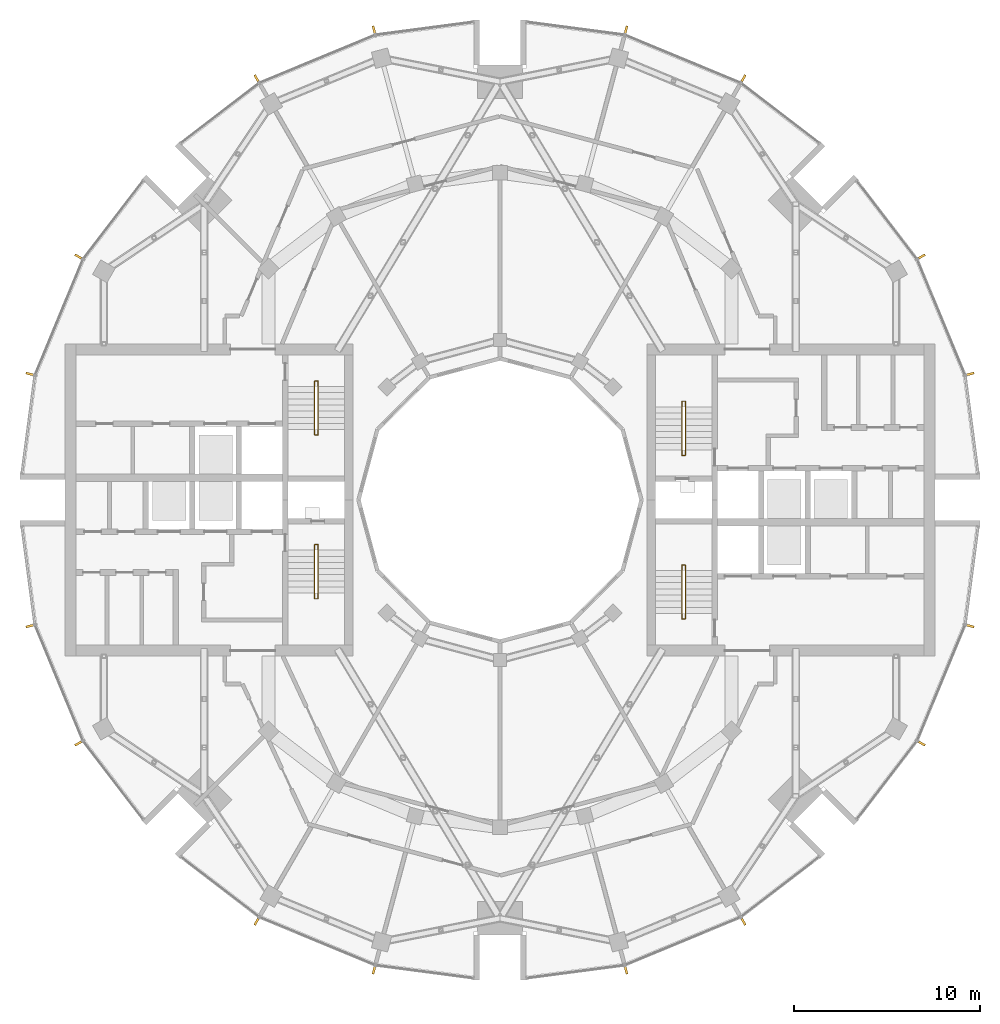
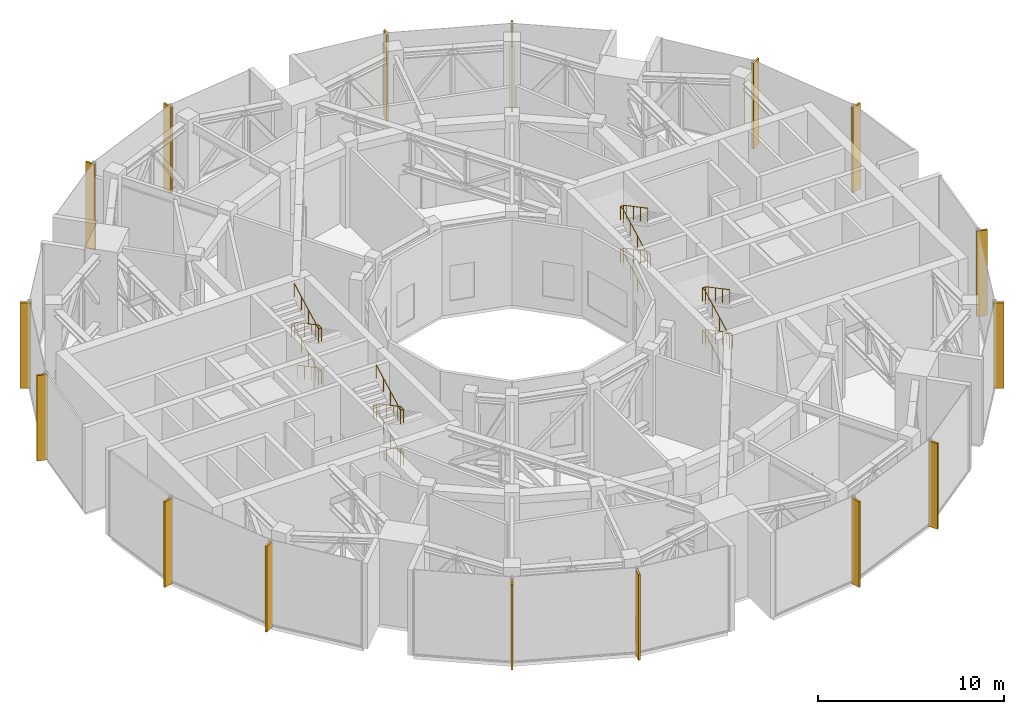
# One storey, part 17 of 18: 16 shading devices, 4 railings.
"""IFC4 building model written with IfcOpenShell, lengths in metres."""

from ifc_helpers import new_model, si_unit, direction, frame, origin, origin_2d, place, context, subcontext, project, spatial, rectangle, circle, extrude, material, material_profile, profile_set, type_object, element, save


model = new_model("IFC4")

# Units and contexts
model_context = context("Model", 3, precision=1e-05, world=origin(), true_north=direction((0.0, 1.0)))
body_context = subcontext(model_context, "Body", "Model", "MODEL_VIEW")
ifc_project = project(units=[si_unit("LENGTHUNIT", "METRE"), si_unit("AREAUNIT", "SQUARE_METRE"), si_unit("VOLUMEUNIT", "CUBIC_METRE"), si_unit("PLANEANGLEUNIT", "RADIAN"), si_unit("MASSUNIT", "GRAM", prefix="KILO")], contexts=[model_context])

# Site, building, storey
site_placement = place(None, origin())
site = spatial("IfcSite", under=ifc_project, at=site_placement, CompositionType="ELEMENT")
building_placement = place(site_placement, origin())
building = spatial("IfcBuilding", under=site, at=building_placement, Name="Torre Brocal", CompositionType="ELEMENT")
storey_placement = place(building_placement, frame((0.0, 0.0, 206.89990234375)))
storey = spatial("IfcBuildingStorey", under=building, at=storey_placement, Name="L48", CompositionType="ELEMENT", Elevation=206.89990234375)

# Shading devices
ifc_material_1 = material(Name="Aluminium, black anodised", Category="aluminium")
ifc_material_profile = material_profile(ifc_material_1, rectangle(XDim=0.1201171875, YDim=0.60009765625, at=origin_2d()), Name="FIN 120X600 5600 HIGH")
ifc_profile_set = profile_set([ifc_material_profile], Name="Aluminium, black anodised")
shading_device_type = type_object("IfcShadingDeviceType", Name="FIN 120X600 5600 HIGH", PredefinedType="USERDEFINED", material=ifc_profile_set)
for number, where, z_axis, x_axis, name in (
    (1, (105.208984375, 81.754638671875, -0.14990234375), (0.0, 0.0, 1.0), (-0.258819045103, 0.965925826289, 0.0), "FIN"),
    (2, (102.601806640625, 88.049072265625, -0.14990234375), (0.0, 0.0, 1.0), (-0.5, 0.866025403784, 0.0), "FIN"),
    (3, (93.049072265625, 97.601806640625, -0.14990234375), (0.0, 0.0, 1.0), (-0.866025403784, 0.5, 0.0), "FIN"),
    (4, (86.754638671875, 100.208984375, -0.14990234375), (0.0, 0.0, 1.0), (-0.965925826289, 0.258819045103, 0.0), "FIN"),
    (5, (73.245361328125, 100.208984375, -0.14990234375), (0.0, 0.0, 1.0), (-0.965925826289, -0.258819045103, 0.0), "FIN"),
    (6, (66.950927734375, 97.601806640625, -0.14990234375), (0.0, 0.0, 1.0), (-0.866025403784, -0.5, 0.0), "FIN"),
    (7, (57.398193359375, 88.049072265625, -0.14990234375), (0.0, 0.0, 1.0), (-0.5, -0.866025403784, 0.0), "FIN"),
    (8, (54.791015625, 81.754638671875, -0.14990234375), (0.0, 0.0, 1.0), (-0.258819045103, -0.965925826289, 0.0), "FIN"),
    (9, (54.791015625, 68.245361328125, -0.14990234375), (0.0, 0.0, 1.0), (0.258819045103, -0.965925826289, 0.0), "FIN"),
    (10, (57.398193359375, 61.950927734375, -0.14990234375), (0.0, 0.0, 1.0), (0.5, -0.866025403784, 0.0), "FIN"),
    (11, (66.950927734375, 52.398193359375, -0.14990234375), (0.0, 0.0, 1.0), (0.866025403784, -0.5, 0.0), "FIN"),
    (12, (73.245361328125, 49.791015625, -0.14990234375), (0.0, 0.0, 1.0), (0.965925826289, -0.258819045103, 0.0), "FIN"),
    (13, (86.754638671875, 49.791015625, -0.14990234375), (0.0, 0.0, 1.0), (0.965925826289, 0.258819045103, 0.0), "FIN"),
    (14, (93.049072265625, 52.398193359375, -0.14990234375), (0.0, 0.0, 1.0), (0.866025403784, 0.5, 0.0), "FIN"),
    (15, (102.601806640625, 61.950927734375, -0.14990234375), (0.0, 0.0, 1.0), (0.5, 0.866025403784, 0.0), "FIN"),
    (16, (105.208984375, 68.245361328125, -0.14990234375), (0.0, 0.0, 1.0), (0.258819045103, 0.965925826289, 0.0), "FIN"),
):
    element("IfcShadingDevice", number, at=place(storey_placement, frame(where, z_axis=z_axis, x_axis=x_axis)), inside=storey, type_object=shading_device_type, Name=name, ObjectType="FIN", PredefinedType="USERDEFINED", context=body_context, shape_type="SweptSolid", body=[
        extrude(rectangle(XDim=0.1201171875, YDim=0.60009765625, at=origin_2d()), origin(), (0.0, 0.0, 1.0), 5.60009765625),
    ])

# Railings
ifc_material_2 = material(Name="Stainless steel AISI 316", Category="steel")
railing_type = type_object("IfcRailingType", Name="STAIR HANDRAIL", PredefinedType="HANDRAIL", material=ifc_material_2)
railing_1_placement = place(storey_placement, frame((89.780029296875, 77.699951171875, 0.175048828125)))
element("IfcRailing", 17, at=railing_1_placement, inside=storey, type_object=railing_type, Name="HANDRAIL ST1", PredefinedType="HANDRAIL", context=body_context, shape_type="SweptSolid", body=[
    extrude(circle(Radius=0.02392578125, at=origin_2d()), frame((0.0, 0.0, 0.8759765625), z_axis=(0.0, 0.883451562143, 0.468522504633), x_axis=(-1.0, 0.0, 0.0)), (0.0, 0.0, 1.0), 2.61474609375),
    extrude(circle(Radius=0.02392578125, at=origin_2d()), frame((0.0, 2.31005859375, 2.10107421875), z_axis=(0.0, 1.0, 0.0), x_axis=(-1.0, 0.0, 0.0)), (0.0, 0.0, 1.0), 0.300048828125),
    extrude(circle(Radius=0.02392578125, at=origin_2d()), frame((0.0, 2.610107421875, 2.10107421875), z_axis=(1.0, 0.0, 0.0), x_axis=(0.0, 1.0, 0.0)), (0.0, 0.0, 1.0), 0.18994140625),
    extrude(circle(Radius=0.02392578125, at=origin_2d()), frame((0.18994140625, 2.610107421875, 2.10107421875), z_axis=(0.0, -0.863753409277, 0.503914722906), x_axis=(1.0, 0.0, 0.0)), (0.0, 0.0, 1.0), 0.347412109375),
    extrude(circle(Radius=0.02392578125, at=origin_2d()), frame((0.18994140625, 2.31005859375, 2.27587890625), z_axis=(0.0, -0.88349020758, 0.46844962708), x_axis=(1.0, 0.0, 0.0)), (0.0, 0.0, 1.0), 2.61474609375),
    extrude(circle(Radius=0.02392578125, at=origin_2d()), frame((0.18994140625, 0.0, 3.5009765625), z_axis=(0.0, -1.0, 0.0), x_axis=(1.0, 0.0, 0.0)), (0.0, 0.0, 1.0), 0.300048828125),
    extrude(circle(Radius=0.02392578125, at=origin_2d()), frame((0.18994140625, -0.300048828125, 3.5009765625), z_axis=(-1.0, 0.0, 0.0), x_axis=(0.0, -1.0, 0.0)), (0.0, 0.0, 1.0), 0.18994140625),
    extrude(circle(Radius=0.02392578125, at=origin_2d()), frame((0.0, -0.300048828125, 3.5009765625), z_axis=(0.0, 0.863753409277, 0.503914722906), x_axis=(-1.0, 0.0, 0.0)), (0.0, 0.0, 1.0), 0.347412109375),
    extrude(circle(Radius=0.02392578125, at=origin_2d()), frame((0.0, 0.0, 3.67578125), z_axis=(0.0, 0.883451562143, 0.468522504633), x_axis=(-1.0, 0.0, 0.0)), (0.0, 0.0, 1.0), 2.61474609375),
    extrude(circle(Radius=0.02392578125, at=origin_2d()), frame((0.0, 2.31005859375, 4.90087890625), z_axis=(0.0, 1.0, 0.0), x_axis=(-1.0, 0.0, 0.0)), (0.0, 0.0, 1.0), 0.300048828125),
    extrude(circle(Radius=0.02392578125, at=origin_2d()), frame((0.0, 2.610107421875, 4.90087890625), z_axis=(1.0, 0.0, 0.0), x_axis=(0.0, 1.0, 0.0)), (0.0, 0.0, 1.0), 0.18994140625),
    extrude(circle(Radius=0.02392578125, at=origin_2d()), frame((0.18994140625, 2.610107421875, 4.90087890625), z_axis=(0.0, -0.86405926202, 0.503390098947), x_axis=(1.0, 0.0, 0.0)), (0.0, 0.0, 1.0), 0.34716796875),
    extrude(circle(Radius=0.02392578125, at=origin_2d()), frame((0.18994140625, 2.31005859375, 5.07568359375), z_axis=(0.0, -0.883451562143, 0.468522504633), x_axis=(1.0, 0.0, 0.0)), (0.0, 0.0, 1.0), 2.61474609375),
    extrude(circle(Radius=0.02099609375, at=origin_2d()), origin(), (0.0, 0.0, 1.0), 0.851806640625),
    extrude(circle(Radius=0.02099609375, at=origin_2d()), frame((0.0, 0.77001953125, 0.408447265625)), (0.0, 0.0, 1.0), 0.851806640625),
    extrude(circle(Radius=0.02099609375, at=origin_2d()), frame((0.0, 1.5400390625, 0.816650390625)), (0.0, 0.0, 1.0), 0.851806640625),
    extrude(circle(Radius=0.02099609375, at=origin_2d()), frame((0.0, 2.31005859375, 1.22509765625)), (0.0, 0.0, 1.0), 0.851806640625),
    extrude(circle(Radius=0.02099609375, at=origin_2d()), frame((0.0, 2.610107421875, 1.22509765625)), (0.0, 0.0, 1.0), 0.851806640625),
    extrude(circle(Radius=0.02099609375, at=origin_2d()), frame((0.18994140625, 2.610107421875, 1.22509765625)), (0.0, 0.0, 1.0), 0.851806640625),
    extrude(circle(Radius=0.02099609375, at=origin_2d()), frame((0.18994140625, 2.31005859375, 1.400146484375)), (0.0, 0.0, 1.0), 0.851806640625),
    extrude(circle(Radius=0.02099609375, at=origin_2d()), frame((0.18994140625, 1.5400390625, 1.808349609375)), (0.0, 0.0, 1.0), 0.851806640625),
    extrude(circle(Radius=0.02099609375, at=origin_2d()), frame((0.18994140625, 0.77001953125, 2.216796875)), (0.0, 0.0, 1.0), 0.851806640625),
    extrude(circle(Radius=0.02099609375, at=origin_2d()), frame((0.18994140625, 0.0, 2.625)), (0.0, 0.0, 1.0), 0.851806640625),
    extrude(circle(Radius=0.02099609375, at=origin_2d()), frame((0.18994140625, -0.300048828125, 2.625)), (0.0, 0.0, 1.0), 0.851806640625),
    extrude(circle(Radius=0.02099609375, at=origin_2d()), frame((0.0, -0.300048828125, 2.625)), (0.0, 0.0, 1.0), 0.851806640625),
    extrude(circle(Radius=0.02099609375, at=origin_2d()), frame((0.0, 0.0, 2.800048828125)), (0.0, 0.0, 1.0), 0.851806640625),
    extrude(circle(Radius=0.02099609375, at=origin_2d()), frame((0.0, 0.77001953125, 3.20849609375)), (0.0, 0.0, 1.0), 0.851806640625),
    extrude(circle(Radius=0.02099609375, at=origin_2d()), frame((0.0, 1.5400390625, 3.61669921875)), (0.0, 0.0, 1.0), 0.851806640625),
    extrude(circle(Radius=0.02099609375, at=origin_2d()), frame((0.0, 2.31005859375, 4.025146484375)), (0.0, 0.0, 1.0), 0.851806640625),
    extrude(circle(Radius=0.02099609375, at=origin_2d()), frame((0.0, 2.610107421875, 4.025146484375)), (0.0, 0.0, 1.0), 0.851806640625),
    extrude(circle(Radius=0.02099609375, at=origin_2d()), frame((0.18994140625, 2.610107421875, 4.025146484375)), (0.0, 0.0, 1.0), 0.851806640625),
    extrude(circle(Radius=0.02099609375, at=origin_2d()), frame((0.18994140625, 2.31005859375, 4.199951171875)), (0.0, 0.0, 1.0), 0.851806640625),
    extrude(circle(Radius=0.02099609375, at=origin_2d()), frame((0.18994140625, 1.5400390625, 4.6083984375)), (0.0, 0.0, 1.0), 0.851806640625),
    extrude(circle(Radius=0.02099609375, at=origin_2d()), frame((0.18994140625, 0.77001953125, 5.0166015625)), (0.0, 0.0, 1.0), 0.851806640625),
    extrude(circle(Radius=0.02099609375, at=origin_2d()), frame((0.18994140625, 0.0, 5.425048828125)), (0.0, 0.0, 1.0), 0.851806640625),
])
railing_2_placement = place(storey_placement, frame((89.780029296875, 68.89990234375, 0.175048828125)))
element("IfcRailing", 18, at=railing_2_placement, inside=storey, type_object=railing_type, Name="HANDRAIL ST2", PredefinedType="HANDRAIL", context=body_context, shape_type="SweptSolid", body=[
    extrude(circle(Radius=0.02392578125, at=origin_2d()), frame((0.0, 0.0, 0.8759765625), z_axis=(0.0, 0.883451562143, 0.468522504633), x_axis=(-1.0, 0.0, 0.0)), (0.0, 0.0, 1.0), 2.61474609375),
    extrude(circle(Radius=0.02392578125, at=origin_2d()), frame((0.0, 2.31005859375, 2.10107421875), z_axis=(0.0, 1.0, 0.0), x_axis=(-1.0, 0.0, 0.0)), (0.0, 0.0, 1.0), 0.300048828125),
    extrude(circle(Radius=0.02392578125, at=origin_2d()), frame((0.0, 2.610107421875, 2.10107421875), z_axis=(1.0, 0.0, 0.0), x_axis=(0.0, 1.0, 0.0)), (0.0, 0.0, 1.0), 0.18994140625),
    extrude(circle(Radius=0.02392578125, at=origin_2d()), frame((0.18994140625, 2.610107421875, 2.10107421875), z_axis=(0.0, -0.863753409277, 0.503914722906), x_axis=(1.0, 0.0, 0.0)), (0.0, 0.0, 1.0), 0.347412109375),
    extrude(circle(Radius=0.02392578125, at=origin_2d()), frame((0.18994140625, 2.31005859375, 2.27587890625), z_axis=(0.0, -0.88349020758, 0.46844962708), x_axis=(1.0, 0.0, 0.0)), (0.0, 0.0, 1.0), 2.61474609375),
    extrude(circle(Radius=0.02392578125, at=origin_2d()), frame((0.18994140625, 0.0, 3.5009765625), z_axis=(0.0, -1.0, 0.0), x_axis=(1.0, 0.0, 0.0)), (0.0, 0.0, 1.0), 0.2998046875),
    extrude(circle(Radius=0.02392578125, at=origin_2d()), frame((0.18994140625, -0.2998046875, 3.5009765625), z_axis=(-1.0, 0.0, 0.0), x_axis=(0.0, -1.0, 0.0)), (0.0, 0.0, 1.0), 0.18994140625),
    extrude(circle(Radius=0.02392578125, at=origin_2d()), frame((0.0, -0.2998046875, 3.5009765625), z_axis=(0.0, 0.86357478209, 0.504220780748), x_axis=(-1.0, 0.0, 0.0)), (0.0, 0.0, 1.0), 0.34716796875),
    extrude(circle(Radius=0.02392578125, at=origin_2d()), frame((0.0, 0.0, 3.67578125), z_axis=(0.0, 0.883451562143, 0.468522504633), x_axis=(-1.0, 0.0, 0.0)), (0.0, 0.0, 1.0), 2.61474609375),
    extrude(circle(Radius=0.02392578125, at=origin_2d()), frame((0.0, 2.31005859375, 4.90087890625), z_axis=(0.0, 1.0, 0.0), x_axis=(-1.0, 0.0, 0.0)), (0.0, 0.0, 1.0), 0.300048828125),
    extrude(circle(Radius=0.02392578125, at=origin_2d()), frame((0.0, 2.610107421875, 4.90087890625), z_axis=(1.0, 0.0, 0.0), x_axis=(0.0, 1.0, 0.0)), (0.0, 0.0, 1.0), 0.18994140625),
    extrude(circle(Radius=0.02392578125, at=origin_2d()), frame((0.18994140625, 2.610107421875, 4.90087890625), z_axis=(0.0, -0.86405926202, 0.503390098947), x_axis=(1.0, 0.0, 0.0)), (0.0, 0.0, 1.0), 0.34716796875),
    extrude(circle(Radius=0.02392578125, at=origin_2d()), frame((0.18994140625, 2.31005859375, 5.07568359375), z_axis=(0.0, -0.883451562143, 0.468522504633), x_axis=(1.0, 0.0, 0.0)), (0.0, 0.0, 1.0), 2.61474609375),
    extrude(circle(Radius=0.02099609375, at=origin_2d()), origin(), (0.0, 0.0, 1.0), 0.851806640625),
    extrude(circle(Radius=0.02099609375, at=origin_2d()), frame((0.0, 0.77001953125, 0.408447265625)), (0.0, 0.0, 1.0), 0.851806640625),
    extrude(circle(Radius=0.02099609375, at=origin_2d()), frame((0.0, 1.5400390625, 0.816650390625)), (0.0, 0.0, 1.0), 0.851806640625),
    extrude(circle(Radius=0.02099609375, at=origin_2d()), frame((0.0, 2.31005859375, 1.22509765625)), (0.0, 0.0, 1.0), 0.851806640625),
    extrude(circle(Radius=0.02099609375, at=origin_2d()), frame((0.0, 2.610107421875, 1.22509765625)), (0.0, 0.0, 1.0), 0.851806640625),
    extrude(circle(Radius=0.02099609375, at=origin_2d()), frame((0.18994140625, 2.610107421875, 1.22509765625)), (0.0, 0.0, 1.0), 0.851806640625),
    extrude(circle(Radius=0.02099609375, at=origin_2d()), frame((0.18994140625, 2.31005859375, 1.400146484375)), (0.0, 0.0, 1.0), 0.851806640625),
    extrude(circle(Radius=0.02099609375, at=origin_2d()), frame((0.18994140625, 1.5400390625, 1.808349609375)), (0.0, 0.0, 1.0), 0.851806640625),
    extrude(circle(Radius=0.02099609375, at=origin_2d()), frame((0.18994140625, 0.77001953125, 2.216796875)), (0.0, 0.0, 1.0), 0.851806640625),
    extrude(circle(Radius=0.02099609375, at=origin_2d()), frame((0.18994140625, 0.0, 2.625)), (0.0, 0.0, 1.0), 0.851806640625),
    extrude(circle(Radius=0.02099609375, at=origin_2d()), frame((0.18994140625, -0.2998046875, 2.625)), (0.0, 0.0, 1.0), 0.851806640625),
    extrude(circle(Radius=0.02099609375, at=origin_2d()), frame((0.0, -0.2998046875, 2.625)), (0.0, 0.0, 1.0), 0.851806640625),
    extrude(circle(Radius=0.02099609375, at=origin_2d()), frame((0.0, 0.0, 2.800048828125)), (0.0, 0.0, 1.0), 0.851806640625),
    extrude(circle(Radius=0.02099609375, at=origin_2d()), frame((0.0, 0.77001953125, 3.20849609375)), (0.0, 0.0, 1.0), 0.851806640625),
    extrude(circle(Radius=0.02099609375, at=origin_2d()), frame((0.0, 1.5400390625, 3.61669921875)), (0.0, 0.0, 1.0), 0.851806640625),
    extrude(circle(Radius=0.02099609375, at=origin_2d()), frame((0.0, 2.31005859375, 4.025146484375)), (0.0, 0.0, 1.0), 0.851806640625),
    extrude(circle(Radius=0.02099609375, at=origin_2d()), frame((0.0, 2.610107421875, 4.025146484375)), (0.0, 0.0, 1.0), 0.851806640625),
    extrude(circle(Radius=0.02099609375, at=origin_2d()), frame((0.18994140625, 2.610107421875, 4.025146484375)), (0.0, 0.0, 1.0), 0.851806640625),
    extrude(circle(Radius=0.02099609375, at=origin_2d()), frame((0.18994140625, 2.31005859375, 4.199951171875)), (0.0, 0.0, 1.0), 0.851806640625),
    extrude(circle(Radius=0.02099609375, at=origin_2d()), frame((0.18994140625, 1.5400390625, 4.6083984375)), (0.0, 0.0, 1.0), 0.851806640625),
    extrude(circle(Radius=0.02099609375, at=origin_2d()), frame((0.18994140625, 0.77001953125, 5.0166015625)), (0.0, 0.0, 1.0), 0.851806640625),
    extrude(circle(Radius=0.02099609375, at=origin_2d()), frame((0.18994140625, 0.0, 5.425048828125)), (0.0, 0.0, 1.0), 0.851806640625),
])
railing_3_placement = place(storey_placement, frame((70.219970703125, 72.300048828125, 0.175048828125)))
element("IfcRailing", 19, at=railing_3_placement, inside=storey, type_object=railing_type, Name="HANDRAIL ST3", PredefinedType="HANDRAIL", context=body_context, shape_type="SweptSolid", body=[
    extrude(circle(Radius=0.02392578125, at=origin_2d()), frame((0.0, 0.0, 0.8759765625), z_axis=(0.0, -0.883451562143, 0.468522504633), x_axis=(1.0, 0.0, 0.0)), (0.0, 0.0, 1.0), 2.61474609375),
    extrude(circle(Radius=0.02392578125, at=origin_2d()), frame((0.0, -2.31005859375, 2.10107421875), z_axis=(0.0, -1.0, 0.0), x_axis=(1.0, 0.0, 0.0)), (0.0, 0.0, 1.0), 0.300048828125),
    extrude(circle(Radius=0.02392578125, at=origin_2d()), frame((0.0, -2.610107421875, 2.10107421875), z_axis=(-1.0, 0.0, 0.0), x_axis=(0.0, -1.0, 0.0)), (0.0, 0.0, 1.0), 0.18994140625),
    extrude(circle(Radius=0.02392578125, at=origin_2d()), frame((-0.18994140625, -2.610107421875, 2.10107421875), z_axis=(0.0, 0.863753409277, 0.503914722906), x_axis=(-1.0, 0.0, 0.0)), (0.0, 0.0, 1.0), 0.347412109375),
    extrude(circle(Radius=0.02392578125, at=origin_2d()), frame((-0.18994140625, -2.31005859375, 2.27587890625), z_axis=(0.0, 0.88349020758, 0.46844962708), x_axis=(-1.0, 0.0, 0.0)), (0.0, 0.0, 1.0), 2.61474609375),
    extrude(circle(Radius=0.02392578125, at=origin_2d()), frame((-0.18994140625, 0.0, 3.5009765625), z_axis=(0.0, 1.0, 0.0), x_axis=(-1.0, 0.0, 0.0)), (0.0, 0.0, 1.0), 0.300048828125),
    extrude(circle(Radius=0.02392578125, at=origin_2d()), frame((-0.18994140625, 0.300048828125, 3.5009765625), z_axis=(1.0, 0.0, 0.0), x_axis=(0.0, 1.0, 0.0)), (0.0, 0.0, 1.0), 0.18994140625),
    extrude(circle(Radius=0.02392578125, at=origin_2d()), frame((0.0, 0.300048828125, 3.5009765625), z_axis=(0.0, -0.863753409277, 0.503914722906), x_axis=(1.0, 0.0, 0.0)), (0.0, 0.0, 1.0), 0.347412109375),
    extrude(circle(Radius=0.02392578125, at=origin_2d()), frame((0.0, 0.0, 3.67578125), z_axis=(0.0, -0.883451562143, 0.468522504633), x_axis=(1.0, 0.0, 0.0)), (0.0, 0.0, 1.0), 2.61474609375),
    extrude(circle(Radius=0.02392578125, at=origin_2d()), frame((0.0, -2.31005859375, 4.90087890625), z_axis=(0.0, -1.0, 0.0), x_axis=(1.0, 0.0, 0.0)), (0.0, 0.0, 1.0), 0.300048828125),
    extrude(circle(Radius=0.02392578125, at=origin_2d()), frame((0.0, -2.610107421875, 4.90087890625), z_axis=(-1.0, 0.0, 0.0), x_axis=(0.0, -1.0, 0.0)), (0.0, 0.0, 1.0), 0.18994140625),
    extrude(circle(Radius=0.02392578125, at=origin_2d()), frame((-0.18994140625, -2.610107421875, 4.90087890625), z_axis=(0.0, 0.86405926202, 0.503390098947), x_axis=(-1.0, 0.0, 0.0)), (0.0, 0.0, 1.0), 0.34716796875),
    extrude(circle(Radius=0.02392578125, at=origin_2d()), frame((-0.18994140625, -2.31005859375, 5.07568359375), z_axis=(0.0, 0.883451562143, 0.468522504633), x_axis=(-1.0, 0.0, 0.0)), (0.0, 0.0, 1.0), 2.61474609375),
    extrude(circle(Radius=0.02099609375, at=origin_2d()), origin(), (0.0, 0.0, 1.0), 0.851806640625),
    extrude(circle(Radius=0.02099609375, at=origin_2d()), frame((0.0, -0.77001953125, 0.408447265625)), (0.0, 0.0, 1.0), 0.851806640625),
    extrude(circle(Radius=0.02099609375, at=origin_2d()), frame((0.0, -1.5400390625, 0.816650390625)), (0.0, 0.0, 1.0), 0.851806640625),
    extrude(circle(Radius=0.02099609375, at=origin_2d()), frame((0.0, -2.31005859375, 1.22509765625)), (0.0, 0.0, 1.0), 0.851806640625),
    extrude(circle(Radius=0.02099609375, at=origin_2d()), frame((0.0, -2.610107421875, 1.22509765625)), (0.0, 0.0, 1.0), 0.851806640625),
    extrude(circle(Radius=0.02099609375, at=origin_2d()), frame((-0.18994140625, -2.610107421875, 1.22509765625)), (0.0, 0.0, 1.0), 0.851806640625),
    extrude(circle(Radius=0.02099609375, at=origin_2d()), frame((-0.18994140625, -2.31005859375, 1.400146484375)), (0.0, 0.0, 1.0), 0.851806640625),
    extrude(circle(Radius=0.02099609375, at=origin_2d()), frame((-0.18994140625, -1.5400390625, 1.808349609375)), (0.0, 0.0, 1.0), 0.851806640625),
    extrude(circle(Radius=0.02099609375, at=origin_2d()), frame((-0.18994140625, -0.77001953125, 2.216796875)), (0.0, 0.0, 1.0), 0.851806640625),
    extrude(circle(Radius=0.02099609375, at=origin_2d()), frame((-0.18994140625, 0.0, 2.625)), (0.0, 0.0, 1.0), 0.851806640625),
    extrude(circle(Radius=0.02099609375, at=origin_2d()), frame((-0.18994140625, 0.300048828125, 2.625)), (0.0, 0.0, 1.0), 0.851806640625),
    extrude(circle(Radius=0.02099609375, at=origin_2d()), frame((0.0, 0.300048828125, 2.625)), (0.0, 0.0, 1.0), 0.851806640625),
    extrude(circle(Radius=0.02099609375, at=origin_2d()), frame((0.0, 0.0, 2.800048828125)), (0.0, 0.0, 1.0), 0.851806640625),
    extrude(circle(Radius=0.02099609375, at=origin_2d()), frame((0.0, -0.77001953125, 3.20849609375)), (0.0, 0.0, 1.0), 0.851806640625),
    extrude(circle(Radius=0.02099609375, at=origin_2d()), frame((0.0, -1.5400390625, 3.61669921875)), (0.0, 0.0, 1.0), 0.851806640625),
    extrude(circle(Radius=0.02099609375, at=origin_2d()), frame((0.0, -2.31005859375, 4.025146484375)), (0.0, 0.0, 1.0), 0.851806640625),
    extrude(circle(Radius=0.02099609375, at=origin_2d()), frame((0.0, -2.610107421875, 4.025146484375)), (0.0, 0.0, 1.0), 0.851806640625),
    extrude(circle(Radius=0.02099609375, at=origin_2d()), frame((-0.18994140625, -2.610107421875, 4.025146484375)), (0.0, 0.0, 1.0), 0.851806640625),
    extrude(circle(Radius=0.02099609375, at=origin_2d()), frame((-0.18994140625, -2.31005859375, 4.199951171875)), (0.0, 0.0, 1.0), 0.851806640625),
    extrude(circle(Radius=0.02099609375, at=origin_2d()), frame((-0.18994140625, -1.5400390625, 4.6083984375)), (0.0, 0.0, 1.0), 0.851806640625),
    extrude(circle(Radius=0.02099609375, at=origin_2d()), frame((-0.18994140625, -0.77001953125, 5.0166015625)), (0.0, 0.0, 1.0), 0.851806640625),
    extrude(circle(Radius=0.02099609375, at=origin_2d()), frame((-0.18994140625, 0.0, 5.425048828125)), (0.0, 0.0, 1.0), 0.851806640625),
])
railing_4_placement = place(storey_placement, frame((70.219970703125, 81.10009765625, 0.175048828125)))
element("IfcRailing", 20, at=railing_4_placement, inside=storey, type_object=railing_type, Name="HANDRAIL ST4", PredefinedType="HANDRAIL", context=body_context, shape_type="SweptSolid", body=[
    extrude(circle(Radius=0.02392578125, at=origin_2d()), frame((0.0, 0.0, 0.8759765625), z_axis=(0.0, -0.883451562143, 0.468522504633), x_axis=(1.0, 0.0, 0.0)), (0.0, 0.0, 1.0), 2.61474609375),
    extrude(circle(Radius=0.02392578125, at=origin_2d()), frame((0.0, -2.31005859375, 2.10107421875), z_axis=(0.0, -1.0, 0.0), x_axis=(1.0, 0.0, 0.0)), (0.0, 0.0, 1.0), 0.300048828125),
    extrude(circle(Radius=0.02392578125, at=origin_2d()), frame((0.0, -2.610107421875, 2.10107421875), z_axis=(-1.0, 0.0, 0.0), x_axis=(0.0, -1.0, 0.0)), (0.0, 0.0, 1.0), 0.18994140625),
    extrude(circle(Radius=0.02392578125, at=origin_2d()), frame((-0.18994140625, -2.610107421875, 2.10107421875), z_axis=(0.0, 0.863753409277, 0.503914722906), x_axis=(-1.0, 0.0, 0.0)), (0.0, 0.0, 1.0), 0.347412109375),
    extrude(circle(Radius=0.02392578125, at=origin_2d()), frame((-0.18994140625, -2.31005859375, 2.27587890625), z_axis=(0.0, 0.88349020758, 0.46844962708), x_axis=(-1.0, 0.0, 0.0)), (0.0, 0.0, 1.0), 2.61474609375),
    extrude(circle(Radius=0.02392578125, at=origin_2d()), frame((-0.18994140625, 0.0, 3.5009765625), z_axis=(0.0, 1.0, 0.0), x_axis=(-1.0, 0.0, 0.0)), (0.0, 0.0, 1.0), 0.2998046875),
    extrude(circle(Radius=0.02392578125, at=origin_2d()), frame((-0.18994140625, 0.2998046875, 3.5009765625), z_axis=(1.0, 0.0, 0.0), x_axis=(0.0, 1.0, 0.0)), (0.0, 0.0, 1.0), 0.18994140625),
    extrude(circle(Radius=0.02392578125, at=origin_2d()), frame((0.0, 0.2998046875, 3.5009765625), z_axis=(0.0, -0.86357478209, 0.504220780748), x_axis=(1.0, 0.0, 0.0)), (0.0, 0.0, 1.0), 0.34716796875),
    extrude(circle(Radius=0.02392578125, at=origin_2d()), frame((0.0, 0.0, 3.67578125), z_axis=(0.0, -0.883451562143, 0.468522504633), x_axis=(1.0, 0.0, 0.0)), (0.0, 0.0, 1.0), 2.61474609375),
    extrude(circle(Radius=0.02392578125, at=origin_2d()), frame((0.0, -2.31005859375, 4.90087890625), z_axis=(0.0, -1.0, 0.0), x_axis=(1.0, 0.0, 0.0)), (0.0, 0.0, 1.0), 0.300048828125),
    extrude(circle(Radius=0.02392578125, at=origin_2d()), frame((0.0, -2.610107421875, 4.90087890625), z_axis=(-1.0, 0.0, 0.0), x_axis=(0.0, -1.0, 0.0)), (0.0, 0.0, 1.0), 0.18994140625),
    extrude(circle(Radius=0.02392578125, at=origin_2d()), frame((-0.18994140625, -2.610107421875, 4.90087890625), z_axis=(0.0, 0.86405926202, 0.503390098947), x_axis=(-1.0, 0.0, 0.0)), (0.0, 0.0, 1.0), 0.34716796875),
    extrude(circle(Radius=0.02392578125, at=origin_2d()), frame((-0.18994140625, -2.31005859375, 5.07568359375), z_axis=(0.0, 0.883451562143, 0.468522504633), x_axis=(-1.0, 0.0, 0.0)), (0.0, 0.0, 1.0), 2.61474609375),
    extrude(circle(Radius=0.02099609375, at=origin_2d()), origin(), (0.0, 0.0, 1.0), 0.851806640625),
    extrude(circle(Radius=0.02099609375, at=origin_2d()), frame((0.0, -0.77001953125, 0.408447265625)), (0.0, 0.0, 1.0), 0.851806640625),
    extrude(circle(Radius=0.02099609375, at=origin_2d()), frame((0.0, -1.5400390625, 0.816650390625)), (0.0, 0.0, 1.0), 0.851806640625),
    extrude(circle(Radius=0.02099609375, at=origin_2d()), frame((0.0, -2.31005859375, 1.22509765625)), (0.0, 0.0, 1.0), 0.851806640625),
    extrude(circle(Radius=0.02099609375, at=origin_2d()), frame((0.0, -2.610107421875, 1.22509765625)), (0.0, 0.0, 1.0), 0.851806640625),
    extrude(circle(Radius=0.02099609375, at=origin_2d()), frame((-0.18994140625, -2.610107421875, 1.22509765625)), (0.0, 0.0, 1.0), 0.851806640625),
    extrude(circle(Radius=0.02099609375, at=origin_2d()), frame((-0.18994140625, -2.31005859375, 1.400146484375)), (0.0, 0.0, 1.0), 0.851806640625),
    extrude(circle(Radius=0.02099609375, at=origin_2d()), frame((-0.18994140625, -1.5400390625, 1.808349609375)), (0.0, 0.0, 1.0), 0.851806640625),
    extrude(circle(Radius=0.02099609375, at=origin_2d()), frame((-0.18994140625, -0.77001953125, 2.216796875)), (0.0, 0.0, 1.0), 0.851806640625),
    extrude(circle(Radius=0.02099609375, at=origin_2d()), frame((-0.18994140625, 0.0, 2.625)), (0.0, 0.0, 1.0), 0.851806640625),
    extrude(circle(Radius=0.02099609375, at=origin_2d()), frame((-0.18994140625, 0.2998046875, 2.625)), (0.0, 0.0, 1.0), 0.851806640625),
    extrude(circle(Radius=0.02099609375, at=origin_2d()), frame((0.0, 0.2998046875, 2.625)), (0.0, 0.0, 1.0), 0.851806640625),
    extrude(circle(Radius=0.02099609375, at=origin_2d()), frame((0.0, 0.0, 2.800048828125)), (0.0, 0.0, 1.0), 0.851806640625),
    extrude(circle(Radius=0.02099609375, at=origin_2d()), frame((0.0, -0.77001953125, 3.20849609375)), (0.0, 0.0, 1.0), 0.851806640625),
    extrude(circle(Radius=0.02099609375, at=origin_2d()), frame((0.0, -1.5400390625, 3.61669921875)), (0.0, 0.0, 1.0), 0.851806640625),
    extrude(circle(Radius=0.02099609375, at=origin_2d()), frame((0.0, -2.31005859375, 4.025146484375)), (0.0, 0.0, 1.0), 0.851806640625),
    extrude(circle(Radius=0.02099609375, at=origin_2d()), frame((0.0, -2.610107421875, 4.025146484375)), (0.0, 0.0, 1.0), 0.851806640625),
    extrude(circle(Radius=0.02099609375, at=origin_2d()), frame((-0.18994140625, -2.610107421875, 4.025146484375)), (0.0, 0.0, 1.0), 0.851806640625),
    extrude(circle(Radius=0.02099609375, at=origin_2d()), frame((-0.18994140625, -2.31005859375, 4.199951171875)), (0.0, 0.0, 1.0), 0.851806640625),
    extrude(circle(Radius=0.02099609375, at=origin_2d()), frame((-0.18994140625, -1.5400390625, 4.6083984375)), (0.0, 0.0, 1.0), 0.851806640625),
    extrude(circle(Radius=0.02099609375, at=origin_2d()), frame((-0.18994140625, -0.77001953125, 5.0166015625)), (0.0, 0.0, 1.0), 0.851806640625),
    extrude(circle(Radius=0.02099609375, at=origin_2d()), frame((-0.18994140625, 0.0, 5.425048828125)), (0.0, 0.0, 1.0), 0.851806640625),
])

save(model, "model.ifc")
